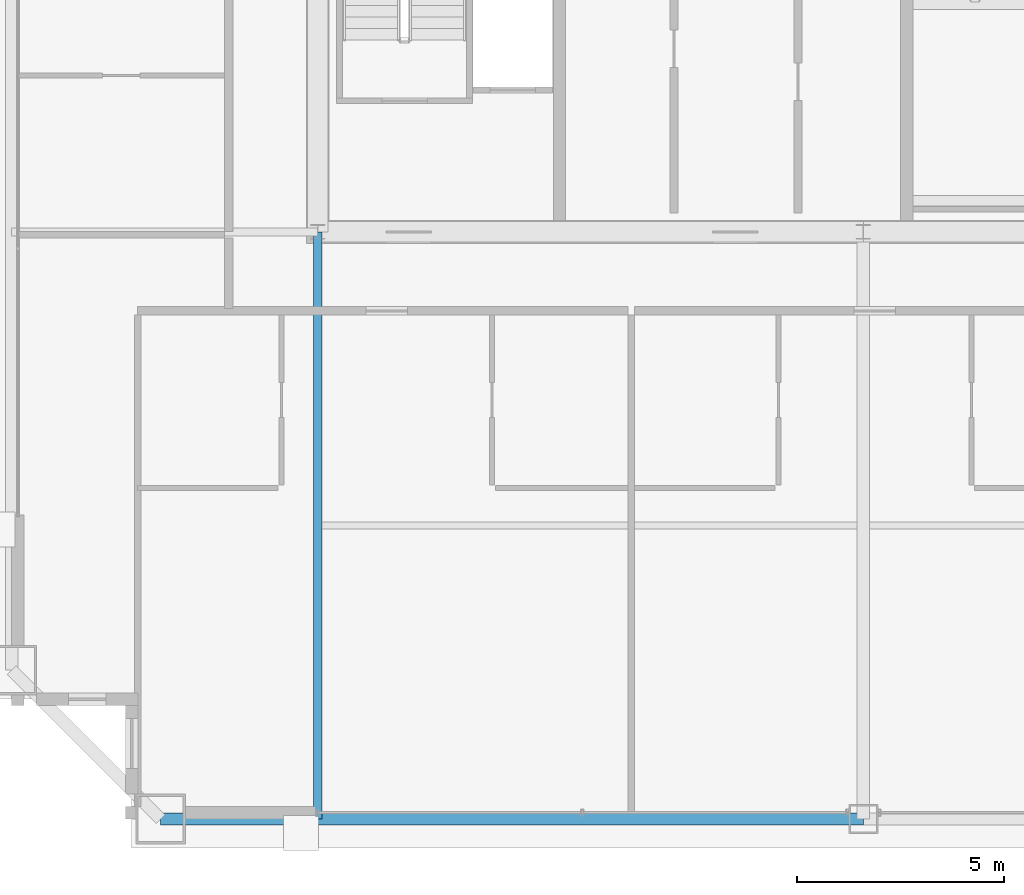
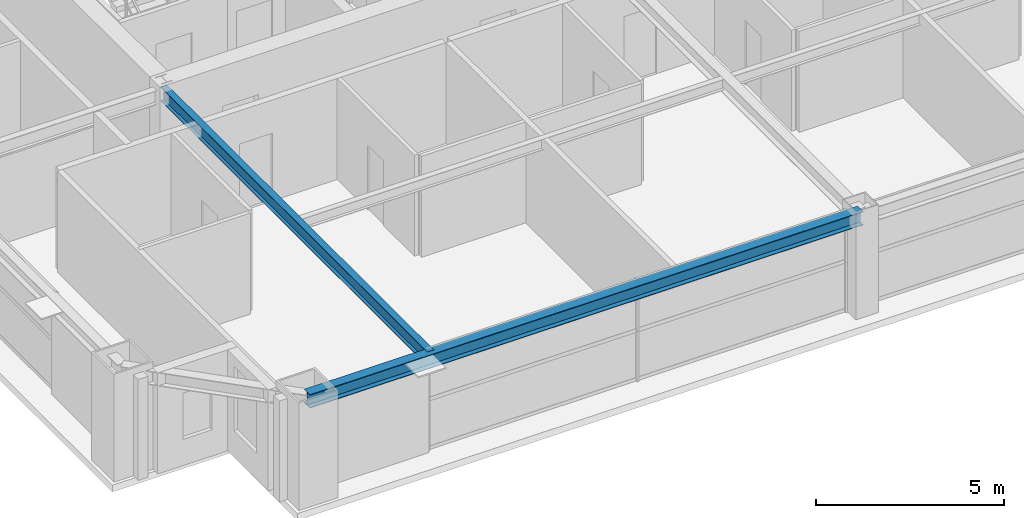
# One storey, part 5 of 37: 2 beams.
"""IFC4 building model written with IfcOpenShell, lengths in metres."""

from ifc_helpers import new_model, si_unit, direction, frame, origin, origin_2d, place, context, subcontext, project, spatial, i_section, extrude, source, transform, mapped, material, material_profile, profile_set, type_object, element, save


model = new_model("IFC4")

# Units and contexts
model_context = context("Model", 3, precision=1e-05, world=origin(), true_north=direction((0.0, 1.0)))
body_context = subcontext(model_context, "Body", "Model", "MODEL_VIEW")
ifc_project = project(units=[si_unit("LENGTHUNIT", "METRE"), si_unit("AREAUNIT", "SQUARE_METRE"), si_unit("VOLUMEUNIT", "CUBIC_METRE"), si_unit("PLANEANGLEUNIT", "RADIAN"), si_unit("MASSUNIT", "GRAM", prefix="KILO"), si_unit("THERMODYNAMICTEMPERATUREUNIT", "KELVIN"), si_unit("POWERUNIT", "WATT")], contexts=[model_context])

# Site, building, storey
site_placement = place(None, origin())
site = spatial("IfcSite", under=ifc_project, at=site_placement, CompositionType="ELEMENT")
building_placement = place(site_placement, origin())
building = spatial("IfcBuilding", under=site, at=building_placement, Name="Yuzanri Waterfront Tower", CompositionType="ELEMENT")
storey_placement = place(building_placement, frame((0.0, 0.0, 275.10009765625)))
storey = spatial("IfcBuildingStorey", under=building, at=storey_placement, Name="L73", CompositionType="ELEMENT", Elevation=275.10009765625)

# Beams
ifc_material_1 = material(Name="Steel Q355B", Category="steel")
ifc_material_profile_1 = material_profile(ifc_material_1, i_section(OverallWidth=0.300048828125, OverallDepth=0.43994140625, WebThickness=0.010986328125, FlangeThickness=0.01806640625, at=origin_2d()), Name="HM 440x300x11x18")
ifc_profile_set_1 = profile_set([ifc_material_profile_1], Name="Steel Q355B")
beam_type_1 = type_object("IfcBeamType", Name="Perimeter Spandrel Q355B HM 440x300", PredefinedType="SPANDREL", material=ifc_profile_set_1)
shared_shape_1 = source(origin(), body_context, "Body", "SweptSolid", [
    extrude(i_section(OverallWidth=0.300048828125, OverallDepth=0.43994140625, WebThickness=0.010986328125, FlangeThickness=0.01806640625, at=origin_2d()), origin(), (0.0, 0.0, 1.0), 17.0),
])
beam_1_placement = place(storey_placement, frame((20.0, 5.199951171875, 3.059814453125), z_axis=(1.0, 0.0, 0.0), x_axis=(0.0, 1.0, 0.0)))
element("IfcBeam", 1, at=beam_1_placement, inside=storey, type_object=beam_type_1, Name="L73 Perimeter Spandrel S1-S2", PredefinedType="SPANDREL", context=body_context, shape_type="MappedRepresentation", body=[
    mapped(shared_shape_1, transform((0.0, 0.0, 0.0), scale=1.0)),
])
ifc_material_2 = material(Name="Steel Q355B", Category="steel")
ifc_material_profile_2 = material_profile(ifc_material_2, i_section(OverallWidth=0.199951171875, OverallDepth=0.449951171875, WebThickness=0.009033203125, FlangeThickness=0.013916015625, at=origin_2d()), Name="HN 450x200x9x14")
ifc_profile_set_2 = profile_set([ifc_material_profile_2], Name="Steel Q355B")
beam_type_2 = type_object("IfcBeamType", Name="Secondary Floor Beam Q355B HN 450x200", PredefinedType="BEAM", material=ifc_profile_set_2)
shared_shape_2 = source(origin(), body_context, "Body", "SweptSolid", [
    extrude(i_section(OverallWidth=0.199951171875, OverallDepth=0.449951171875, WebThickness=0.009033203125, FlangeThickness=0.013916015625, at=origin_2d()), origin(), (0.0, 0.0, 1.0), 14.199951171875),
])
beam_2_placement = place(storey_placement, frame((23.800048828125, 19.39990234375, 3.054931640625), z_axis=(0.0, -1.0, 0.0), x_axis=(1.0, 0.0, 0.0)))
element("IfcBeam", 2, at=beam_2_placement, inside=storey, type_object=beam_type_2, Name="L73 South-West Core Line Beam", PredefinedType="BEAM", context=body_context, shape_type="MappedRepresentation", body=[
    mapped(shared_shape_2, transform((0.0, 0.0, 0.0), scale=1.0)),
])

save(model, "model.ifc")
